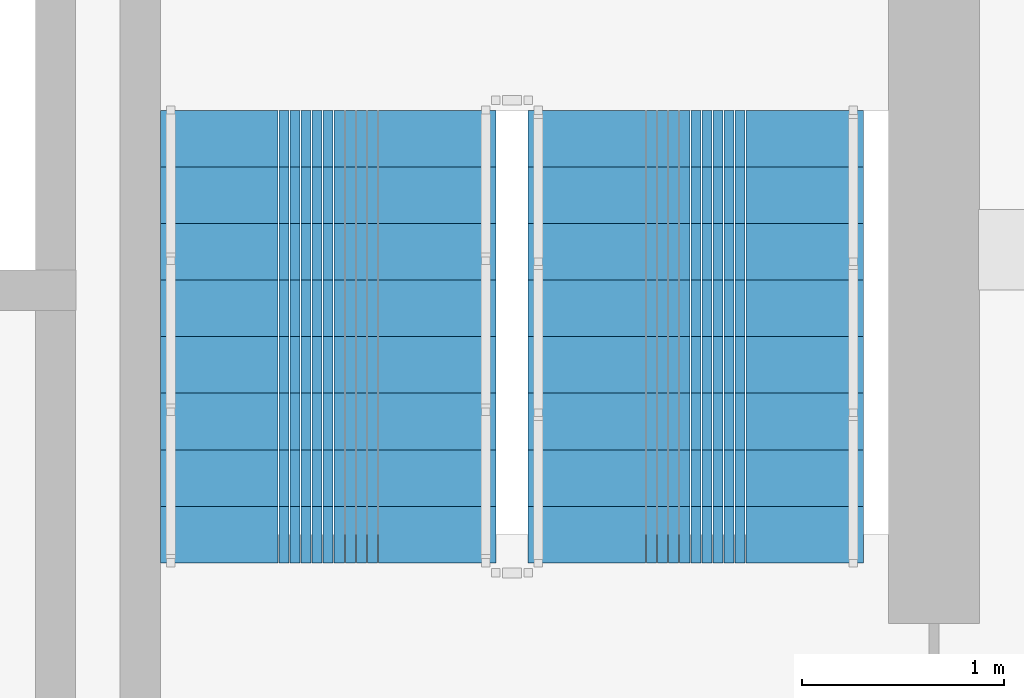
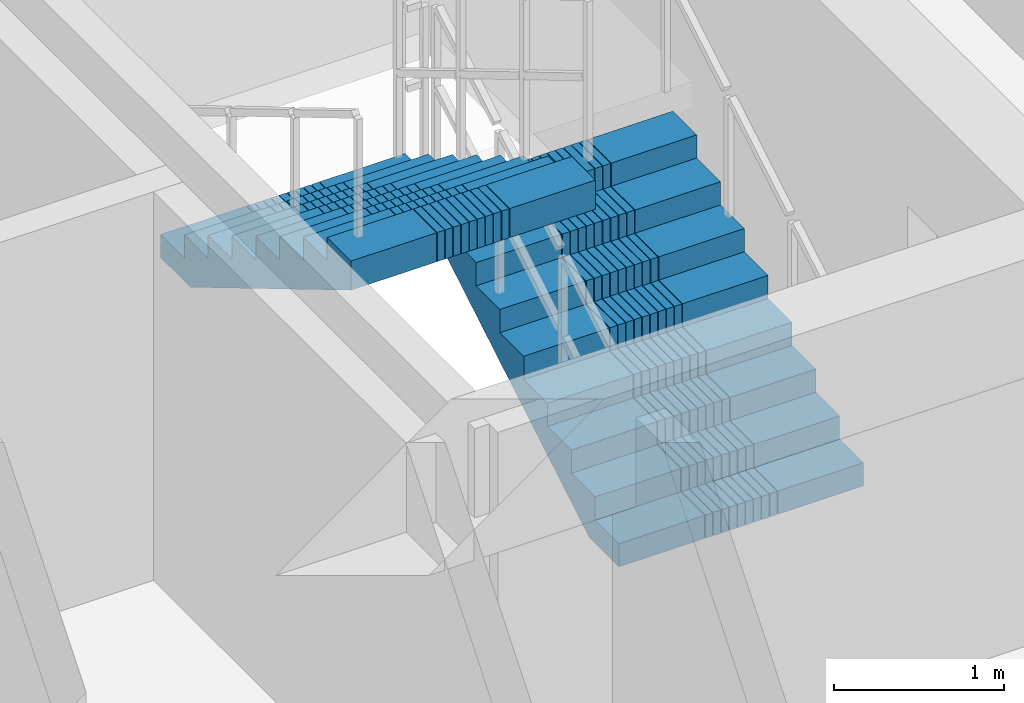
# One storey, part 8 of 13: 2 stair flights, 1 element without a shape of its own.
"""IFC4 building model written with IfcOpenShell, lengths in metres."""

from ifc_helpers import new_model, si_unit, direction, frame, origin, place, context, subcontext, project, spatial, polyline, outline, extrude, material, type_object, element, aggregate, save


model = new_model("IFC4")

# Units and contexts
model_context = context("Model", 3, precision=1e-05, world=origin(), true_north=direction((0.0, 1.0)))
body_context = subcontext(model_context, "Body", "Model", "MODEL_VIEW")
ifc_project = project(units=[si_unit("LENGTHUNIT", "METRE"), si_unit("AREAUNIT", "SQUARE_METRE"), si_unit("VOLUMEUNIT", "CUBIC_METRE"), si_unit("PLANEANGLEUNIT", "RADIAN"), si_unit("MASSUNIT", "GRAM", prefix="KILO")], contexts=[model_context])

# Site, building, storey
site_placement = place(None, origin())
site = spatial("IfcSite", under=ifc_project, at=site_placement, CompositionType="ELEMENT")
building_placement = place(site_placement, origin())
building = spatial("IfcBuilding", under=site, at=building_placement, Name="Saelheon Loggia Tower", CompositionType="ELEMENT")
storey_placement = place(building_placement, frame((0.0, 0.0, 223.199951171875)))
storey = spatial("IfcBuildingStorey", under=building, at=storey_placement, Name="L69", CompositionType="ELEMENT", Elevation=223.199951171875)

# Stair, stair flights
ifc_material = material(Name="Concrete C40/50", Category="concrete")
stair_type = type_object("IfcStairType", Name="Stair_Escape_Core", PredefinedType="HALF_TURN_STAIR", material=ifc_material)
stair_placement = place(storey_placement, origin())
stair = element("IfcStair", 1, at=stair_placement, inside=storey, type_object=stair_type, Name="L69 Special Escape Stair ST2", PredefinedType="HALF_TURN_STAIR")
stair_flight_type = type_object("IfcStairFlightType", Name="StairFlight_Tower_1660", PredefinedType="STRAIGHT", material=ifc_material)
stair_flight_1_placement = place(storey_placement, frame((43.320068359375, 30.449951171875, 0.0), z_axis=(0.0, 0.0, 1.0), x_axis=(0.0, 1.0, 0.0)))
stair_flight_1 = element("IfcStairFlight", 2, at=stair_flight_1_placement, type_object=stair_flight_type, Name="ST2 flight 1", NumberOfRisers=9, NumberOfTreads=8, PredefinedType="STRAIGHT", RiserHeight=0.166666667, TreadLength=0.28, context=body_context, shape_type="SweptSolid", body=[
    extrude(outline(polyline([(0.0, 0.0), (0.0, 0.166748046875), (0.280029296875, 0.166748046875), (0.280029296875, 0.333251953125), (0.56005859375, 0.333251953125), (0.56005859375, 0.5), (0.840087890625, 0.5), (0.840087890625, 0.666748046875), (1.1201171875, 0.666748046875), (1.1201171875, 0.833251953125), (1.39990234375, 0.833251953125), (1.39990234375, 1.0), (1.679931640625, 1.0), (1.679931640625, 1.166748046875), (1.9599609375, 1.166748046875), (1.9599609375, 1.333251953125), (2.239990234375, 1.333251953125), (2.239990234375, 1.5), (2.239990234375, 1.1240234375), (0.351806640625, 0.0), (0.0, 0.0)])), frame((0.0, -0.2490234375, 0.0), z_axis=(0.0, -1.0, 0.0), x_axis=(1.0, 0.0, 0.0)), (0.0, 0.0, 1.0), 0.5810546875),
    extrude(outline(polyline([(0.0, 0.0), (0.0, 0.166748046875), (0.280029296875, 0.166748046875), (0.280029296875, 0.333251953125), (0.56005859375, 0.333251953125), (0.56005859375, 0.5), (0.840087890625, 0.5), (0.840087890625, 0.666748046875), (1.1201171875, 0.666748046875), (1.1201171875, 0.833251953125), (1.39990234375, 0.833251953125), (1.39990234375, 1.0), (1.679931640625, 1.0), (1.679931640625, 1.166748046875), (1.9599609375, 1.166748046875), (1.9599609375, 1.333251953125), (2.239990234375, 1.333251953125), (2.239990234375, 1.5), (2.239990234375, 1.1240234375), (0.351806640625, 0.0), (0.0, 0.0)])), frame((0.0, -0.194091796875, 0.0), z_axis=(0.0, -1.0, 0.0), x_axis=(1.0, 0.0, 0.0)), (0.0, 0.0, 1.0), 0.0498046875),
    extrude(outline(polyline([(0.0, 0.0), (0.0, 0.166748046875), (0.280029296875, 0.166748046875), (0.280029296875, 0.333251953125), (0.56005859375, 0.333251953125), (0.56005859375, 0.5), (0.840087890625, 0.5), (0.840087890625, 0.666748046875), (1.1201171875, 0.666748046875), (1.1201171875, 0.833251953125), (1.39990234375, 0.833251953125), (1.39990234375, 1.0), (1.679931640625, 1.0), (1.679931640625, 1.166748046875), (1.9599609375, 1.166748046875), (1.9599609375, 1.333251953125), (2.239990234375, 1.333251953125), (2.239990234375, 1.5), (2.239990234375, 1.1240234375), (0.351806640625, 0.0), (0.0, 0.0)])), frame((0.0, -0.139404296875, 0.0), z_axis=(0.0, -1.0, 0.0), x_axis=(1.0, 0.0, 0.0)), (0.0, 0.0, 1.0), 0.0498046875),
    extrude(outline(polyline([(0.0, 0.0), (0.0, 0.166748046875), (0.280029296875, 0.166748046875), (0.280029296875, 0.333251953125), (0.56005859375, 0.333251953125), (0.56005859375, 0.5), (0.840087890625, 0.5), (0.840087890625, 0.666748046875), (1.1201171875, 0.666748046875), (1.1201171875, 0.833251953125), (1.39990234375, 0.833251953125), (1.39990234375, 1.0), (1.679931640625, 1.0), (1.679931640625, 1.166748046875), (1.9599609375, 1.166748046875), (1.9599609375, 1.333251953125), (2.239990234375, 1.333251953125), (2.239990234375, 1.5), (2.239990234375, 1.1240234375), (0.351806640625, 0.0), (0.0, 0.0)])), frame((0.0, -0.084716796875, 0.0), z_axis=(0.0, -1.0, 0.0), x_axis=(1.0, 0.0, 0.0)), (0.0, 0.0, 1.0), 0.0498046875),
    extrude(outline(polyline([(0.0, 0.0), (0.0, 0.166748046875), (0.280029296875, 0.166748046875), (0.280029296875, 0.333251953125), (0.56005859375, 0.333251953125), (0.56005859375, 0.5), (0.840087890625, 0.5), (0.840087890625, 0.666748046875), (1.1201171875, 0.666748046875), (1.1201171875, 0.833251953125), (1.39990234375, 0.833251953125), (1.39990234375, 1.0), (1.679931640625, 1.0), (1.679931640625, 1.166748046875), (1.9599609375, 1.166748046875), (1.9599609375, 1.333251953125), (2.239990234375, 1.333251953125), (2.239990234375, 1.5), (2.239990234375, 1.1240234375), (0.351806640625, 0.0), (0.0, 0.0)])), frame((0.0, -0.02978515625, 0.0), z_axis=(0.0, -1.0, 0.0), x_axis=(1.0, 0.0, 0.0)), (0.0, 0.0, 1.0), 0.0498046875),
    extrude(outline(polyline([(0.0, 0.0), (0.0, 0.166748046875), (0.280029296875, 0.166748046875), (0.280029296875, 0.333251953125), (0.56005859375, 0.333251953125), (0.56005859375, 0.5), (0.840087890625, 0.5), (0.840087890625, 0.666748046875), (1.1201171875, 0.666748046875), (1.1201171875, 0.833251953125), (1.39990234375, 0.833251953125), (1.39990234375, 1.0), (1.679931640625, 1.0), (1.679931640625, 1.166748046875), (1.9599609375, 1.166748046875), (1.9599609375, 1.333251953125), (2.239990234375, 1.333251953125), (2.239990234375, 1.5), (2.239990234375, 1.1240234375), (0.351806640625, 0.0), (0.0, 0.0)])), frame((0.0, 0.02490234375, 0.0), z_axis=(0.0, -1.0, 0.0), x_axis=(1.0, 0.0, 0.0)), (0.0, 0.0, 1.0), 0.0498046875),
    extrude(outline(polyline([(0.0, 0.0), (0.0, 0.166748046875), (0.280029296875, 0.166748046875), (0.280029296875, 0.333251953125), (0.56005859375, 0.333251953125), (0.56005859375, 0.5), (0.840087890625, 0.5), (0.840087890625, 0.666748046875), (1.1201171875, 0.666748046875), (1.1201171875, 0.833251953125), (1.39990234375, 0.833251953125), (1.39990234375, 1.0), (1.679931640625, 1.0), (1.679931640625, 1.166748046875), (1.9599609375, 1.166748046875), (1.9599609375, 1.333251953125), (2.239990234375, 1.333251953125), (2.239990234375, 1.5), (2.239990234375, 1.1240234375), (0.351806640625, 0.0), (0.0, 0.0)])), frame((0.0, 0.07958984375, 0.0), z_axis=(0.0, -1.0, 0.0), x_axis=(1.0, 0.0, 0.0)), (0.0, 0.0, 1.0), 0.0498046875),
    extrude(outline(polyline([(0.0, 0.0), (0.0, 0.166748046875), (0.280029296875, 0.166748046875), (0.280029296875, 0.333251953125), (0.56005859375, 0.333251953125), (0.56005859375, 0.5), (0.840087890625, 0.5), (0.840087890625, 0.666748046875), (1.1201171875, 0.666748046875), (1.1201171875, 0.833251953125), (1.39990234375, 0.833251953125), (1.39990234375, 1.0), (1.679931640625, 1.0), (1.679931640625, 1.166748046875), (1.9599609375, 1.166748046875), (1.9599609375, 1.333251953125), (2.239990234375, 1.333251953125), (2.239990234375, 1.5), (2.239990234375, 1.1240234375), (0.351806640625, 0.0), (0.0, 0.0)])), frame((0.0, 0.134521484375, 0.0), z_axis=(0.0, -1.0, 0.0), x_axis=(1.0, 0.0, 0.0)), (0.0, 0.0, 1.0), 0.0498046875),
    extrude(outline(polyline([(0.0, 0.0), (0.0, 0.166748046875), (0.280029296875, 0.166748046875), (0.280029296875, 0.333251953125), (0.56005859375, 0.333251953125), (0.56005859375, 0.5), (0.840087890625, 0.5), (0.840087890625, 0.666748046875), (1.1201171875, 0.666748046875), (1.1201171875, 0.833251953125), (1.39990234375, 0.833251953125), (1.39990234375, 1.0), (1.679931640625, 1.0), (1.679931640625, 1.166748046875), (1.9599609375, 1.166748046875), (1.9599609375, 1.333251953125), (2.239990234375, 1.333251953125), (2.239990234375, 1.5), (2.239990234375, 1.1240234375), (0.351806640625, 0.0), (0.0, 0.0)])), frame((0.0, 0.189208984375, 0.0), z_axis=(0.0, -1.0, 0.0), x_axis=(1.0, 0.0, 0.0)), (0.0, 0.0, 1.0), 0.0498046875),
    extrude(outline(polyline([(0.0, 0.0), (0.0, 0.166748046875), (0.280029296875, 0.166748046875), (0.280029296875, 0.333251953125), (0.56005859375, 0.333251953125), (0.56005859375, 0.5), (0.840087890625, 0.5), (0.840087890625, 0.666748046875), (1.1201171875, 0.666748046875), (1.1201171875, 0.833251953125), (1.39990234375, 0.833251953125), (1.39990234375, 1.0), (1.679931640625, 1.0), (1.679931640625, 1.166748046875), (1.9599609375, 1.166748046875), (1.9599609375, 1.333251953125), (2.239990234375, 1.333251953125), (2.239990234375, 1.5), (2.239990234375, 1.1240234375), (0.351806640625, 0.0), (0.0, 0.0)])), frame((0.0, 0.243896484375, 0.0), z_axis=(0.0, -1.0, 0.0), x_axis=(1.0, 0.0, 0.0)), (0.0, 0.0, 1.0), 0.0498046875),
    extrude(outline(polyline([(0.0, 0.0), (0.0, 0.166748046875), (0.280029296875, 0.166748046875), (0.280029296875, 0.333251953125), (0.56005859375, 0.333251953125), (0.56005859375, 0.5), (0.840087890625, 0.5), (0.840087890625, 0.666748046875), (1.1201171875, 0.666748046875), (1.1201171875, 0.833251953125), (1.39990234375, 0.833251953125), (1.39990234375, 1.0), (1.679931640625, 1.0), (1.679931640625, 1.166748046875), (1.9599609375, 1.166748046875), (1.9599609375, 1.333251953125), (2.239990234375, 1.333251953125), (2.239990234375, 1.5), (2.239990234375, 1.1240234375), (0.351806640625, 0.0), (0.0, 0.0)])), frame((0.0, 0.830078125, 0.0), z_axis=(0.0, -1.0, 0.0), x_axis=(1.0, 0.0, 0.0)), (0.0, 0.0, 1.0), 0.5810546875),
])
stair_flight_2_placement = place(storey_placement, frame((41.5, 32.68994140625, 1.5), z_axis=(0.0, 0.0, 1.0), x_axis=(0.0, -1.0, 0.0)))
stair_flight_2 = element("IfcStairFlight", 3, at=stair_flight_2_placement, type_object=stair_flight_type, Name="ST2 flight 2", NumberOfRisers=9, NumberOfTreads=8, PredefinedType="STRAIGHT", RiserHeight=0.166666667, TreadLength=0.28, context=body_context, shape_type="SweptSolid", body=[
    extrude(outline(polyline([(0.0, 0.0), (0.0, 0.166748046875), (0.280029296875, 0.166748046875), (0.280029296875, 0.333251953125), (0.56005859375, 0.333251953125), (0.56005859375, 0.5), (0.840087890625, 0.5), (0.840087890625, 0.666748046875), (1.1201171875, 0.666748046875), (1.1201171875, 0.833251953125), (1.39990234375, 0.833251953125), (1.39990234375, 1.0), (1.679931640625, 1.0), (1.679931640625, 1.166748046875), (1.9599609375, 1.166748046875), (1.9599609375, 1.333251953125), (2.239990234375, 1.333251953125), (2.239990234375, 1.5), (2.239990234375, 1.1240234375), (0.351806640625, 0.0), (0.0, 0.0)])), frame((0.0, -0.2490234375, 0.0), z_axis=(0.0, -1.0, 0.0), x_axis=(1.0, 0.0, 0.0)), (0.0, 0.0, 1.0), 0.5810546875),
    extrude(outline(polyline([(0.0, 0.0), (0.0, 0.166748046875), (0.280029296875, 0.166748046875), (0.280029296875, 0.333251953125), (0.56005859375, 0.333251953125), (0.56005859375, 0.5), (0.840087890625, 0.5), (0.840087890625, 0.666748046875), (1.1201171875, 0.666748046875), (1.1201171875, 0.833251953125), (1.39990234375, 0.833251953125), (1.39990234375, 1.0), (1.679931640625, 1.0), (1.679931640625, 1.166748046875), (1.9599609375, 1.166748046875), (1.9599609375, 1.333251953125), (2.239990234375, 1.333251953125), (2.239990234375, 1.5), (2.239990234375, 1.1240234375), (0.351806640625, 0.0), (0.0, 0.0)])), frame((0.0, -0.194091796875, 0.0), z_axis=(0.0, -1.0, 0.0), x_axis=(1.0, 0.0, 0.0)), (0.0, 0.0, 1.0), 0.0498046875),
    extrude(outline(polyline([(0.0, 0.0), (0.0, 0.166748046875), (0.280029296875, 0.166748046875), (0.280029296875, 0.333251953125), (0.56005859375, 0.333251953125), (0.56005859375, 0.5), (0.840087890625, 0.5), (0.840087890625, 0.666748046875), (1.1201171875, 0.666748046875), (1.1201171875, 0.833251953125), (1.39990234375, 0.833251953125), (1.39990234375, 1.0), (1.679931640625, 1.0), (1.679931640625, 1.166748046875), (1.9599609375, 1.166748046875), (1.9599609375, 1.333251953125), (2.239990234375, 1.333251953125), (2.239990234375, 1.5), (2.239990234375, 1.1240234375), (0.351806640625, 0.0), (0.0, 0.0)])), frame((0.0, -0.139404296875, 0.0), z_axis=(0.0, -1.0, 0.0), x_axis=(1.0, 0.0, 0.0)), (0.0, 0.0, 1.0), 0.0498046875),
    extrude(outline(polyline([(0.0, 0.0), (0.0, 0.166748046875), (0.280029296875, 0.166748046875), (0.280029296875, 0.333251953125), (0.56005859375, 0.333251953125), (0.56005859375, 0.5), (0.840087890625, 0.5), (0.840087890625, 0.666748046875), (1.1201171875, 0.666748046875), (1.1201171875, 0.833251953125), (1.39990234375, 0.833251953125), (1.39990234375, 1.0), (1.679931640625, 1.0), (1.679931640625, 1.166748046875), (1.9599609375, 1.166748046875), (1.9599609375, 1.333251953125), (2.239990234375, 1.333251953125), (2.239990234375, 1.5), (2.239990234375, 1.1240234375), (0.351806640625, 0.0), (0.0, 0.0)])), frame((0.0, -0.084716796875, 0.0), z_axis=(0.0, -1.0, 0.0), x_axis=(1.0, 0.0, 0.0)), (0.0, 0.0, 1.0), 0.0498046875),
    extrude(outline(polyline([(0.0, 0.0), (0.0, 0.166748046875), (0.280029296875, 0.166748046875), (0.280029296875, 0.333251953125), (0.56005859375, 0.333251953125), (0.56005859375, 0.5), (0.840087890625, 0.5), (0.840087890625, 0.666748046875), (1.1201171875, 0.666748046875), (1.1201171875, 0.833251953125), (1.39990234375, 0.833251953125), (1.39990234375, 1.0), (1.679931640625, 1.0), (1.679931640625, 1.166748046875), (1.9599609375, 1.166748046875), (1.9599609375, 1.333251953125), (2.239990234375, 1.333251953125), (2.239990234375, 1.5), (2.239990234375, 1.1240234375), (0.351806640625, 0.0), (0.0, 0.0)])), frame((0.0, -0.02978515625, 0.0), z_axis=(0.0, -1.0, 0.0), x_axis=(1.0, 0.0, 0.0)), (0.0, 0.0, 1.0), 0.0498046875),
    extrude(outline(polyline([(0.0, 0.0), (0.0, 0.166748046875), (0.280029296875, 0.166748046875), (0.280029296875, 0.333251953125), (0.56005859375, 0.333251953125), (0.56005859375, 0.5), (0.840087890625, 0.5), (0.840087890625, 0.666748046875), (1.1201171875, 0.666748046875), (1.1201171875, 0.833251953125), (1.39990234375, 0.833251953125), (1.39990234375, 1.0), (1.679931640625, 1.0), (1.679931640625, 1.166748046875), (1.9599609375, 1.166748046875), (1.9599609375, 1.333251953125), (2.239990234375, 1.333251953125), (2.239990234375, 1.5), (2.239990234375, 1.1240234375), (0.351806640625, 0.0), (0.0, 0.0)])), frame((0.0, 0.02490234375, 0.0), z_axis=(0.0, -1.0, 0.0), x_axis=(1.0, 0.0, 0.0)), (0.0, 0.0, 1.0), 0.0498046875),
    extrude(outline(polyline([(0.0, 0.0), (0.0, 0.166748046875), (0.280029296875, 0.166748046875), (0.280029296875, 0.333251953125), (0.56005859375, 0.333251953125), (0.56005859375, 0.5), (0.840087890625, 0.5), (0.840087890625, 0.666748046875), (1.1201171875, 0.666748046875), (1.1201171875, 0.833251953125), (1.39990234375, 0.833251953125), (1.39990234375, 1.0), (1.679931640625, 1.0), (1.679931640625, 1.166748046875), (1.9599609375, 1.166748046875), (1.9599609375, 1.333251953125), (2.239990234375, 1.333251953125), (2.239990234375, 1.5), (2.239990234375, 1.1240234375), (0.351806640625, 0.0), (0.0, 0.0)])), frame((0.0, 0.07958984375, 0.0), z_axis=(0.0, -1.0, 0.0), x_axis=(1.0, 0.0, 0.0)), (0.0, 0.0, 1.0), 0.0498046875),
    extrude(outline(polyline([(0.0, 0.0), (0.0, 0.166748046875), (0.280029296875, 0.166748046875), (0.280029296875, 0.333251953125), (0.56005859375, 0.333251953125), (0.56005859375, 0.5), (0.840087890625, 0.5), (0.840087890625, 0.666748046875), (1.1201171875, 0.666748046875), (1.1201171875, 0.833251953125), (1.39990234375, 0.833251953125), (1.39990234375, 1.0), (1.679931640625, 1.0), (1.679931640625, 1.166748046875), (1.9599609375, 1.166748046875), (1.9599609375, 1.333251953125), (2.239990234375, 1.333251953125), (2.239990234375, 1.5), (2.239990234375, 1.1240234375), (0.351806640625, 0.0), (0.0, 0.0)])), frame((0.0, 0.134521484375, 0.0), z_axis=(0.0, -1.0, 0.0), x_axis=(1.0, 0.0, 0.0)), (0.0, 0.0, 1.0), 0.0498046875),
    extrude(outline(polyline([(0.0, 0.0), (0.0, 0.166748046875), (0.280029296875, 0.166748046875), (0.280029296875, 0.333251953125), (0.56005859375, 0.333251953125), (0.56005859375, 0.5), (0.840087890625, 0.5), (0.840087890625, 0.666748046875), (1.1201171875, 0.666748046875), (1.1201171875, 0.833251953125), (1.39990234375, 0.833251953125), (1.39990234375, 1.0), (1.679931640625, 1.0), (1.679931640625, 1.166748046875), (1.9599609375, 1.166748046875), (1.9599609375, 1.333251953125), (2.239990234375, 1.333251953125), (2.239990234375, 1.5), (2.239990234375, 1.1240234375), (0.351806640625, 0.0), (0.0, 0.0)])), frame((0.0, 0.189208984375, 0.0), z_axis=(0.0, -1.0, 0.0), x_axis=(1.0, 0.0, 0.0)), (0.0, 0.0, 1.0), 0.0498046875),
    extrude(outline(polyline([(0.0, 0.0), (0.0, 0.166748046875), (0.280029296875, 0.166748046875), (0.280029296875, 0.333251953125), (0.56005859375, 0.333251953125), (0.56005859375, 0.5), (0.840087890625, 0.5), (0.840087890625, 0.666748046875), (1.1201171875, 0.666748046875), (1.1201171875, 0.833251953125), (1.39990234375, 0.833251953125), (1.39990234375, 1.0), (1.679931640625, 1.0), (1.679931640625, 1.166748046875), (1.9599609375, 1.166748046875), (1.9599609375, 1.333251953125), (2.239990234375, 1.333251953125), (2.239990234375, 1.5), (2.239990234375, 1.1240234375), (0.351806640625, 0.0), (0.0, 0.0)])), frame((0.0, 0.243896484375, 0.0), z_axis=(0.0, -1.0, 0.0), x_axis=(1.0, 0.0, 0.0)), (0.0, 0.0, 1.0), 0.0498046875),
    extrude(outline(polyline([(0.0, 0.0), (0.0, 0.166748046875), (0.280029296875, 0.166748046875), (0.280029296875, 0.333251953125), (0.56005859375, 0.333251953125), (0.56005859375, 0.5), (0.840087890625, 0.5), (0.840087890625, 0.666748046875), (1.1201171875, 0.666748046875), (1.1201171875, 0.833251953125), (1.39990234375, 0.833251953125), (1.39990234375, 1.0), (1.679931640625, 1.0), (1.679931640625, 1.166748046875), (1.9599609375, 1.166748046875), (1.9599609375, 1.333251953125), (2.239990234375, 1.333251953125), (2.239990234375, 1.5), (2.239990234375, 1.1240234375), (0.351806640625, 0.0), (0.0, 0.0)])), frame((0.0, 0.830078125, 0.0), z_axis=(0.0, -1.0, 0.0), x_axis=(1.0, 0.0, 0.0)), (0.0, 0.0, 1.0), 0.5810546875),
])
aggregate(stair, [stair_flight_1, stair_flight_2])

save(model, "model.ifc")
